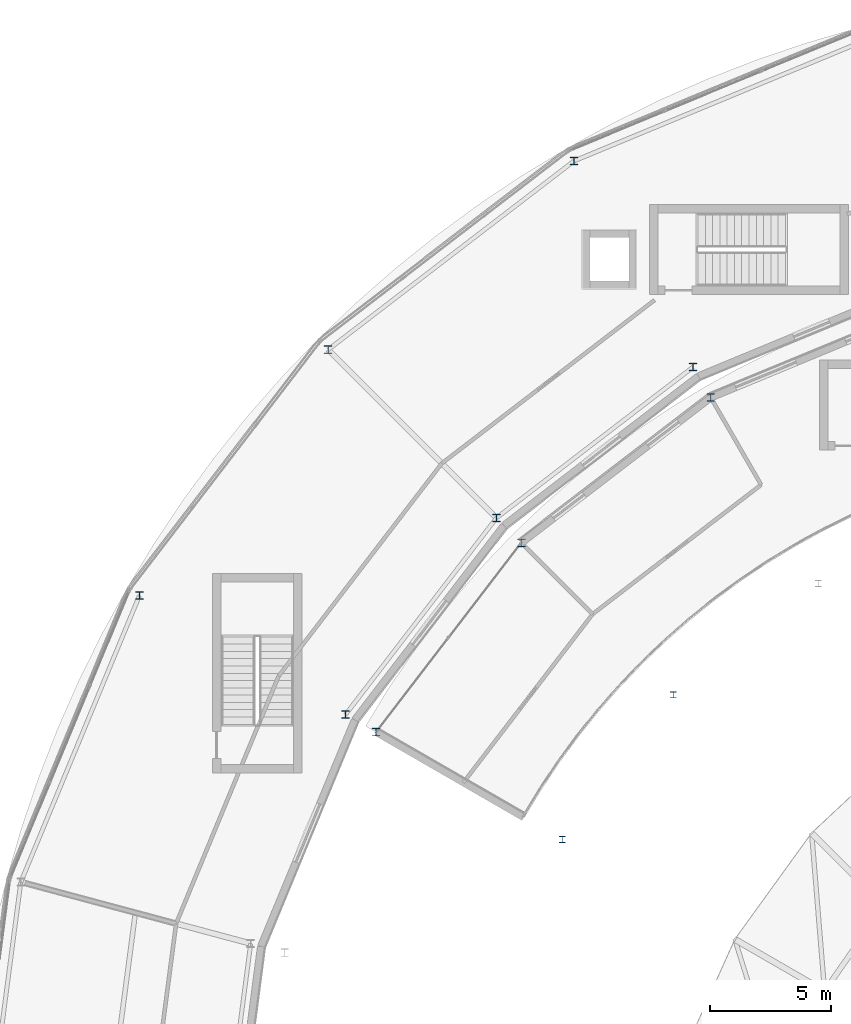
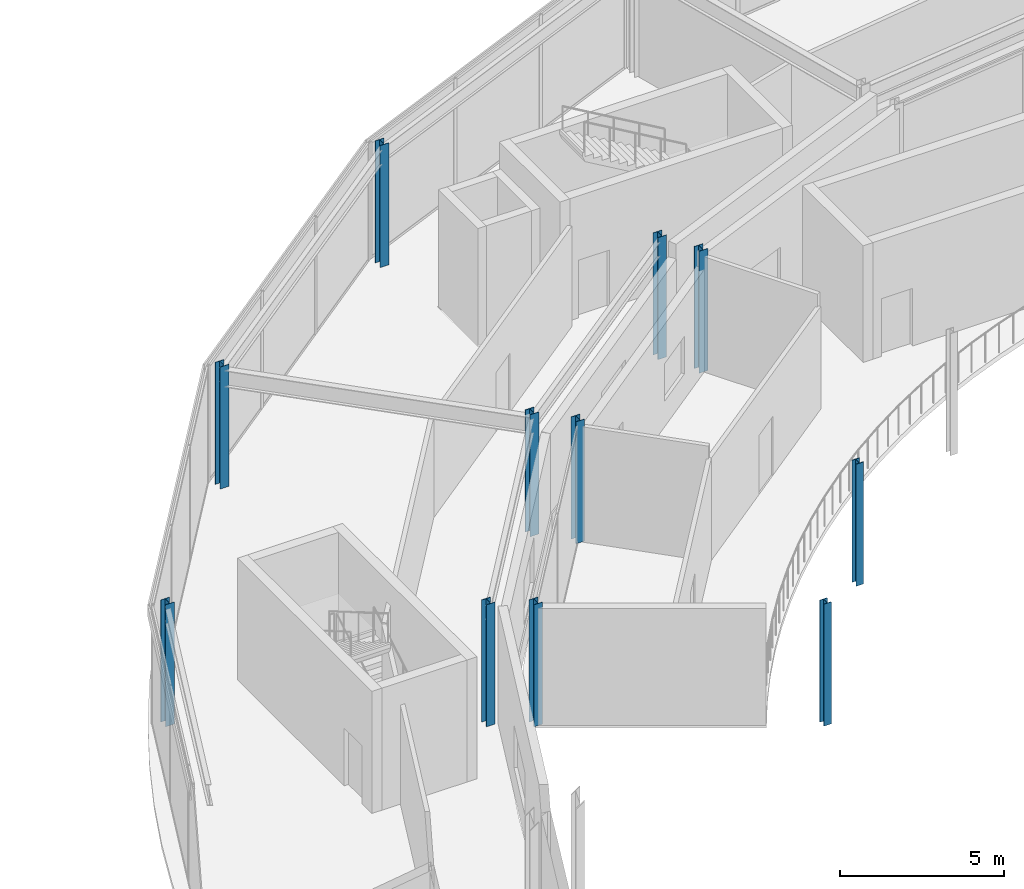
# One storey, part 8 of 116: 11 columns.
"""IFC4 building model written with IfcOpenShell, lengths in metres."""

from ifc_helpers import new_model, si_unit, direction, frame, origin, origin_2d, place, context, subcontext, project, spatial, i_section, extrude, material, material_profile, profile_set, type_object, element, save


model = new_model("IFC4")

# Units and contexts
model_context = context("Model", 3, precision=1e-05, world=origin(), true_north=direction((0.0, 1.0)))
body_context = subcontext(model_context, "Body", "Model", "MODEL_VIEW")
ifc_project = project(units=[si_unit("LENGTHUNIT", "METRE"), si_unit("AREAUNIT", "SQUARE_METRE"), si_unit("VOLUMEUNIT", "CUBIC_METRE"), si_unit("PLANEANGLEUNIT", "RADIAN"), si_unit("MASSUNIT", "GRAM", prefix="KILO")], contexts=[model_context])

# Site, building, storey
site_placement = place(None, origin())
site = spatial("IfcSite", under=ifc_project, at=site_placement, CompositionType="ELEMENT")
building_placement = place(site_placement, origin())
building = spatial("IfcBuilding", under=site, at=building_placement, Name="Almandine Court Research Institute", CompositionType="ELEMENT")
storey_placement = place(building_placement, frame((0.0, 0.0, 14.35009765625)))
storey = spatial("IfcBuildingStorey", under=building, at=storey_placement, Name="L03", CompositionType="ELEMENT", Elevation=14.35009765625)

# Columns
ifc_material = material(Name="Steel ASTM A992 Grade 50", Category="steel")
ifc_material_profile_1 = material_profile(ifc_material, i_section(OverallWidth=0.305908203125, OverallDepth=0.31103515625, WebThickness=0.010986328125, FlangeThickness=0.01708984375, at=origin_2d()), Name="W310x107")
ifc_profile_set_1 = profile_set([ifc_material_profile_1], Name="Steel ASTM A992 Grade 50")
column_type_1 = type_object("IfcColumnType", Name="Col-C-W08", PredefinedType="COLUMN", material=ifc_profile_set_1)
for number, where, z_axis, x_axis, name in (
    (1, (68.175048828125, 88.60595703125, 0.0), (0.0, 0.0, 1.0), (1.0, 0.0, 0.0), "L03 V2 Column V2-OUT-S08"),
    (2, (60.376953125, 82.623046875, 0.0), (0.0, 0.0, 1.0), (1.0, 0.0, 0.0), "L03 V2 Column V2-OUT-S09"),
    (3, (54.39404296875, 74.824951171875, 0.0), (0.0, 0.0, 1.0), (1.0, 0.0, 0.0), "L03 V2 Column V2-OUT-S10"),
):
    element("IfcColumn", number, at=place(storey_placement, frame(where, z_axis=z_axis, x_axis=x_axis)), inside=storey, type_object=column_type_1, Name=name, PredefinedType="COLUMN", context=body_context, shape_type="SweptSolid", body=[
        extrude(i_section(OverallWidth=0.305908203125, OverallDepth=0.31103515625, WebThickness=0.010986328125, FlangeThickness=0.01708984375, at=origin_2d()), origin(), (0.0, 0.0, 1.0), 4.5498046875),
    ])
ifc_material_profile_2 = material_profile(ifc_material, i_section(OverallWidth=0.305908203125, OverallDepth=0.31103515625, WebThickness=0.010986328125, FlangeThickness=0.01708984375, at=origin_2d()), Name="W310x107")
ifc_profile_set_2 = profile_set([ifc_material_profile_2], Name="Steel ASTM A992 Grade 50")
column_type_2 = type_object("IfcColumnType", Name="Col-C-W08-E", PredefinedType="COLUMN", material=ifc_profile_set_2)
for number, where, z_axis, x_axis, name in (
    (4, (67.449951171875, 89.862060546875, 0.0), (0.0, 0.0, 1.0), (1.0, 0.0, 0.0), "L03 V5 Column V5-IN-S08"),
    (5, (62.550048828125, 98.34912109375, 0.0), (0.0, 0.0, 1.0), (1.0, 0.0, 0.0), "L03 V5 Column V5-OUT-S08"),
    (6, (59.35205078125, 83.64794921875, 0.0), (0.0, 0.0, 1.0), (1.0, 0.0, 0.0), "L03 V5 Column V5-IN-S09"),
    (7, (52.422119140625, 90.577880859375, 0.0), (0.0, 0.0, 1.0), (1.0, 0.0, 0.0), "L03 V5 Column V5-OUT-S09"),
    (8, (53.137939453125, 75.550048828125, 0.0), (0.0, 0.0, 1.0), (1.0, 0.0, 0.0), "L03 V5 Column V5-IN-S10"),
    (9, (44.65087890625, 80.449951171875, 0.0), (0.0, 0.0, 1.0), (1.0, 0.0, 0.0), "L03 V5 Column V5-OUT-S10"),
):
    element("IfcColumn", number, at=place(storey_placement, frame(where, z_axis=z_axis, x_axis=x_axis)), inside=storey, type_object=column_type_2, Name=name, PredefinedType="COLUMN", context=body_context, shape_type="SweptSolid", body=[
        extrude(i_section(OverallWidth=0.305908203125, OverallDepth=0.31103515625, WebThickness=0.010986328125, FlangeThickness=0.01708984375, at=origin_2d()), origin(), (0.0, 0.0, 1.0), 4.5498046875),
    ])
ifc_material_profile_3 = material_profile(ifc_material, i_section(OverallWidth=0.257080078125, OverallDepth=0.263916015625, WebThickness=0.011962890625, FlangeThickness=0.02001953125, at=origin_2d()), Name="W250x101")
ifc_profile_set_3 = profile_set([ifc_material_profile_3], Name="Steel ASTM A992 Grade 50")
column_type_3 = type_object("IfcColumnType", Name="Col-C-W09", PredefinedType="COLUMN", material=ifc_profile_set_3)
for number, where, z_axis, x_axis, name in (
    (10, (66.635009765625, 76.364990234375, 0.0), (0.0, 0.0, 1.0), (1.0, 0.0, 0.0), "L03 V2 Column V2-MID-S09"),
    (11, (62.05810546875, 70.39990234375, 0.0), (0.0, 0.0, 1.0), (1.0, 0.0, 0.0), "L03 V2 Column V2-MID-S10"),
):
    element("IfcColumn", number, at=place(storey_placement, frame(where, z_axis=z_axis, x_axis=x_axis)), inside=storey, type_object=column_type_3, Name=name, PredefinedType="COLUMN", context=body_context, shape_type="SweptSolid", body=[
        extrude(i_section(OverallWidth=0.257080078125, OverallDepth=0.263916015625, WebThickness=0.011962890625, FlangeThickness=0.02001953125, at=origin_2d()), origin(), (0.0, 0.0, 1.0), 4.5498046875),
    ])

save(model, "model.ifc")
